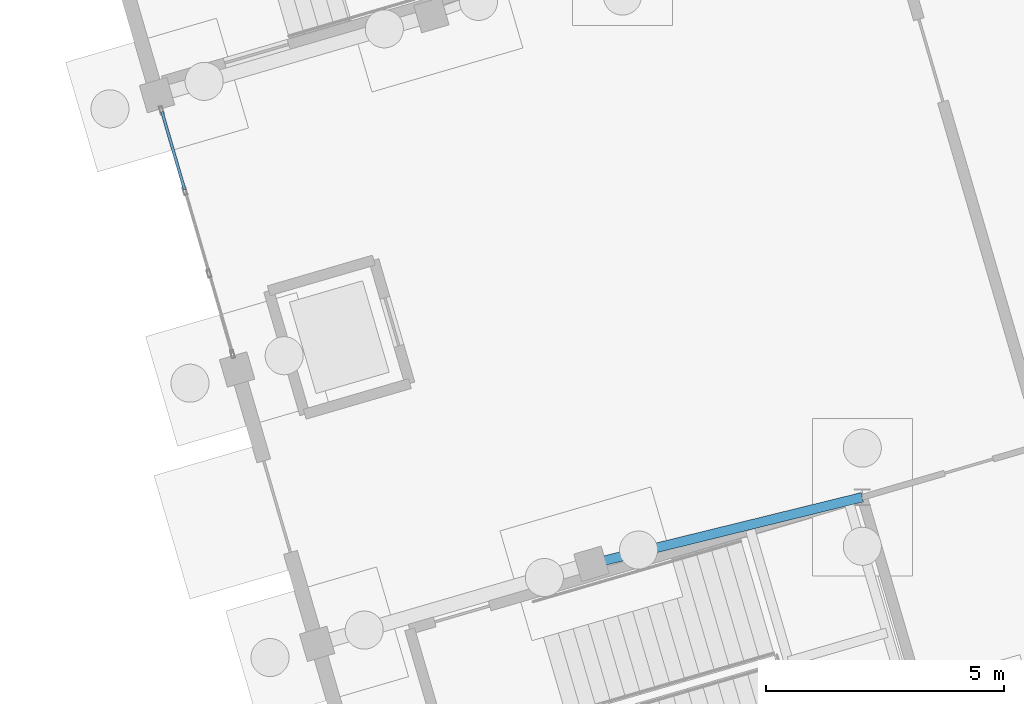
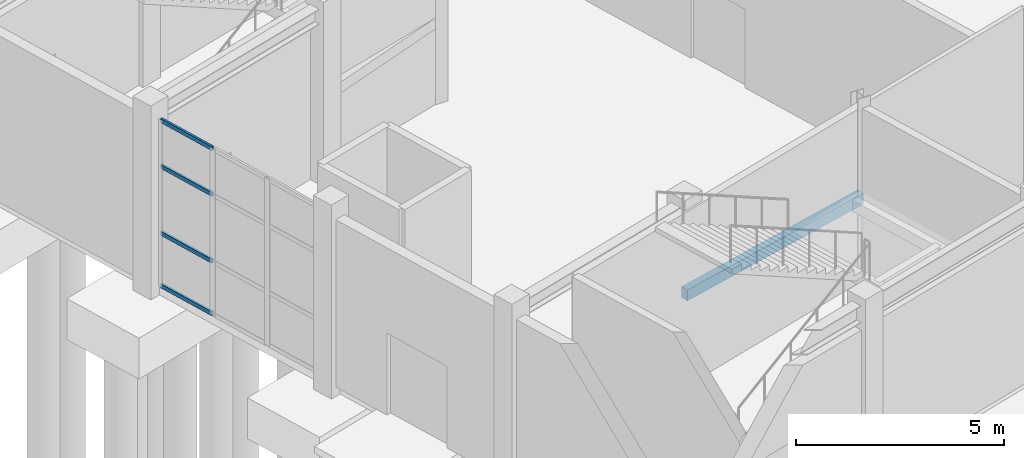
# One storey, part 49 of 90: 4 members, 1 beam, 1 element without a shape of its own.
"""IFC4 building model written with IfcOpenShell, lengths in metres."""

from ifc_helpers import new_model, si_unit, direction, frame, origin, origin_2d, place, context, subcontext, project, spatial, rectangle, hollow_rectangle, extrude, material, layer, layer_set, material_profile, profile_set, type_object, element, aggregate, save


model = new_model("IFC4")

# Units and contexts
model_context = context("Model", 3, precision=1e-05, world=origin(), true_north=direction((0.0, 1.0)))
body_context = subcontext(model_context, "Body", "Model", "MODEL_VIEW")
ifc_project = project(units=[si_unit("LENGTHUNIT", "METRE"), si_unit("AREAUNIT", "SQUARE_METRE"), si_unit("VOLUMEUNIT", "CUBIC_METRE"), si_unit("PLANEANGLEUNIT", "RADIAN"), si_unit("MASSUNIT", "GRAM", prefix="KILO")], contexts=[model_context])

# Site, building, storey
site_placement = place(None, origin())
site = spatial("IfcSite", under=ifc_project, at=site_placement, CompositionType="ELEMENT")
building_placement = place(site_placement, origin())
building = spatial("IfcBuilding", under=site, at=building_placement, Name="Canggui Botanical Conservatory", CompositionType="ELEMENT")
storey_placement = place(building_placement, origin())
storey = spatial("IfcBuildingStorey", under=building, at=storey_placement, Name="L01", CompositionType="ELEMENT", Elevation=0.0)

# Beam
ifc_material_1 = material(Name="Concrete C35", Category="concrete")
ifc_material_profile_1 = material_profile(ifc_material_1, rectangle(XDim=0.199951171875, YDim=0.320068359375, at=origin_2d()), Name="RB 200x320")
ifc_profile_set_1 = profile_set([ifc_material_profile_1], Name="Concrete C35")
beam_type = type_object("IfcBeamType", Name="BM-LIN02", PredefinedType="LINTEL", material=ifc_profile_set_1)
beam_placement = place(storey_placement, frame((70.080078125, 97.43994140625, 2.3798828125), z_axis=(0.971081836023, 0.238746869604, 0.0), x_axis=(-0.238746869604, 0.971081836023, 0.0)))
element("IfcBeam", 1, at=beam_placement, inside=storey, type_object=beam_type, Name="ST-A1 Landing Header Inner", PredefinedType="LINTEL", context=body_context, shape_type="SweptSolid", body=[
    extrude(rectangle(XDim=0.199951171875, YDim=0.320068359375, at=origin_2d()), origin(), (0.0, 0.0, 1.0), 5.85546875),
])

# Curtain wall, members
ifc_material_2 = material(Name="Thermally Broken Aluminium", Category="aluminium")
ifc_layer = layer(ifc_material_2, 0.1650390625, Name="Thermally Broken Aluminium", Category="aluminium")
ifc_layer_set = layer_set([ifc_layer], Name="Thermally Broken Aluminium")
curtain_wall_type = type_object("IfcCurtainWallType", Name="CW-UNIT-B", PredefinedType="USERDEFINED", material=ifc_layer_set)
curtain_wall_placement = place(storey_placement, origin())
curtain_wall = element("IfcCurtainWall", 2, at=curtain_wall_placement, inside=storey, type_object=curtain_wall_type, Name="Facade Curtain Wall CW-AUD-FOYER-2", ObjectType="UNITISED CURTAIN WALL", PredefinedType="USERDEFINED")
ifc_material_profile_2 = material_profile(ifc_material_2, hollow_rectangle(XDim=0.06005859375, YDim=0.1201171875, WallThickness=0.00341796875, at=origin_2d()), Name="CWT 60x120x3.5")
ifc_profile_set_2 = profile_set([ifc_material_profile_2], Name="Thermally Broken Aluminium")
member_type = type_object("IfcMemberType", Name="CWT-02", PredefinedType="USERDEFINED", material=ifc_profile_set_2)
member_1_placement = place(storey_placement, frame((61.538818359375, 105.295166015625, 0.030029296875), z_axis=(-0.27990639063, 0.960027297781, 0.0), x_axis=(-0.960027297781, -0.27990639063, 0.0)))
member_1 = element("IfcMember", 3, at=member_1_placement, type_object=member_type, Name="CW-02 transom 3.1", ObjectType="TRANSOM", PredefinedType="USERDEFINED", context=body_context, shape_type="SweptSolid", body=[
    extrude(hollow_rectangle(XDim=0.06005859375, YDim=0.1201171875, WallThickness=0.00341796875, at=origin_2d()), origin(), (0.0, 0.0, 1.0), 1.70263671875),
])
member_2_placement = place(storey_placement, frame((61.538818359375, 105.295166015625, 1.568115234375), z_axis=(-0.27990639063, 0.960027297781, 0.0), x_axis=(-0.960027297781, -0.27990639063, 0.0)))
member_2 = element("IfcMember", 4, at=member_2_placement, type_object=member_type, Name="CW-02 transom 3.2", ObjectType="TRANSOM", PredefinedType="USERDEFINED", context=body_context, shape_type="SweptSolid", body=[
    extrude(hollow_rectangle(XDim=0.06005859375, YDim=0.1201171875, WallThickness=0.00341796875, at=origin_2d()), origin(), (0.0, 0.0, 1.0), 1.70263671875),
])
member_3_placement = place(storey_placement, frame((61.538818359375, 105.295166015625, 3.528076171875), z_axis=(-0.27990639063, 0.960027297781, 0.0), x_axis=(-0.960027297781, -0.27990639063, 0.0)))
member_3 = element("IfcMember", 5, at=member_3_placement, type_object=member_type, Name="CW-02 transom 3.3", ObjectType="TRANSOM", PredefinedType="USERDEFINED", context=body_context, shape_type="SweptSolid", body=[
    extrude(hollow_rectangle(XDim=0.06005859375, YDim=0.1201171875, WallThickness=0.00341796875, at=origin_2d()), origin(), (0.0, 0.0, 1.0), 1.70263671875),
])
member_4_placement = place(storey_placement, frame((61.538818359375, 105.295166015625, 4.8701171875), z_axis=(-0.27990639063, 0.960027297781, 0.0), x_axis=(-0.960027297781, -0.27990639063, 0.0)))
member_4 = element("IfcMember", 6, at=member_4_placement, type_object=member_type, Name="CW-02 transom 3.4", ObjectType="TRANSOM", PredefinedType="USERDEFINED", context=body_context, shape_type="SweptSolid", body=[
    extrude(hollow_rectangle(XDim=0.06005859375, YDim=0.1201171875, WallThickness=0.00341796875, at=origin_2d()), origin(), (0.0, 0.0, 1.0), 1.70263671875),
])
aggregate(curtain_wall, [member_1, member_2, member_3, member_4])

save(model, "model.ifc")
